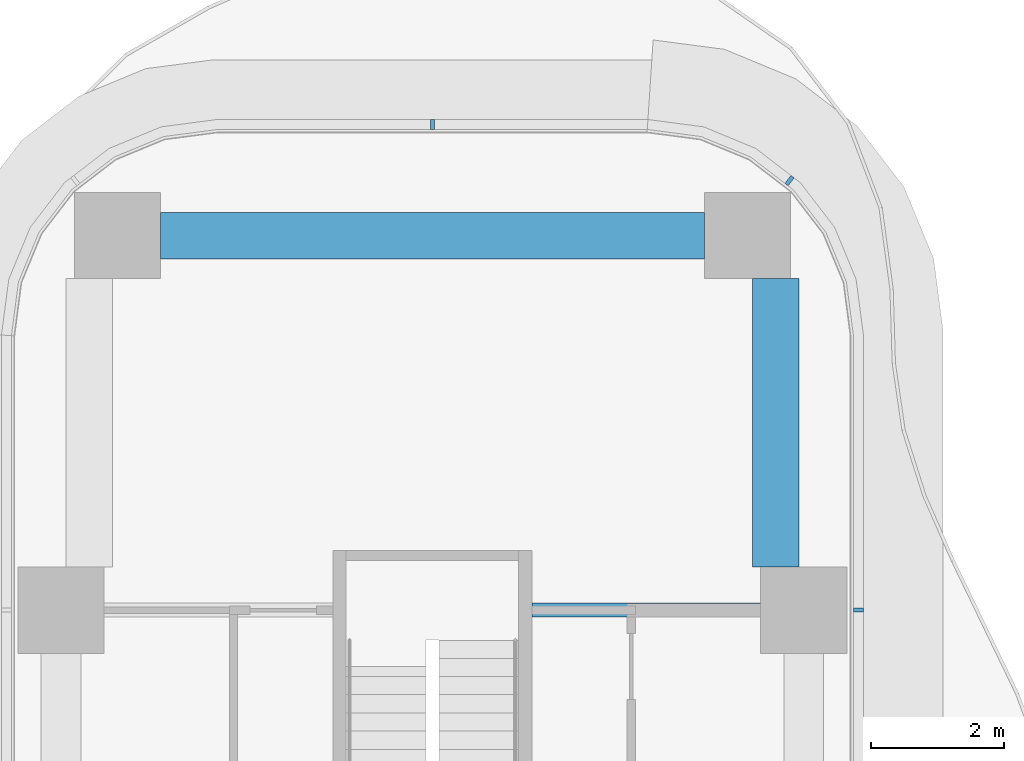
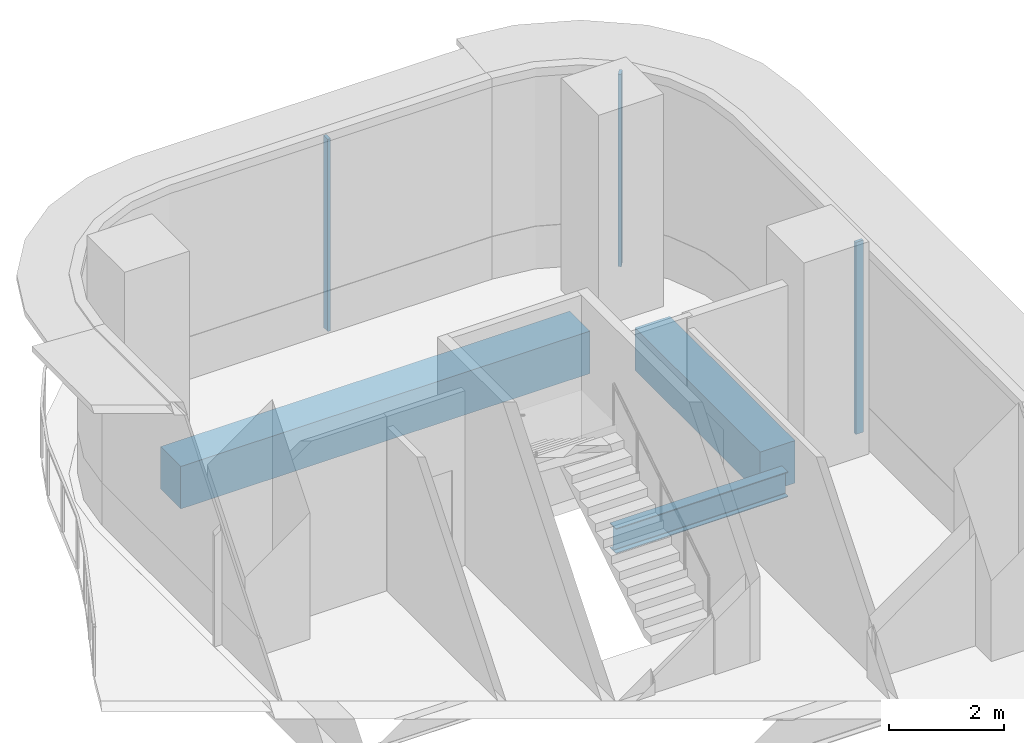
# One storey, part 12 of 21: 3 beams, 3 members, 2 elements without a shape of their own.
"""IFC4 building model written with IfcOpenShell, lengths in metres."""

from ifc_helpers import new_model, si_unit, direction, frame, origin, origin_2d, place, context, subcontext, project, spatial, rectangle, i_section, extrude, source, transform, mapped, material, layer, layer_set, material_profile, profile_set, type_object, element, aggregate, save


model = new_model("IFC4")

# Units and contexts
model_context = context("Model", 3, precision=1e-05, world=origin(), true_north=direction((0.0, 1.0)))
body_context = subcontext(model_context, "Body", "Model", "MODEL_VIEW")
ifc_project = project(units=[si_unit("LENGTHUNIT", "METRE"), si_unit("AREAUNIT", "SQUARE_METRE"), si_unit("VOLUMEUNIT", "CUBIC_METRE"), si_unit("PLANEANGLEUNIT", "RADIAN"), si_unit("MASSUNIT", "GRAM", prefix="KILO")], contexts=[model_context])

# Site, building, storey
site_placement = place(None, origin())
site = spatial("IfcSite", under=ifc_project, at=site_placement, CompositionType="ELEMENT")
building_placement = place(site_placement, origin())
building = spatial("IfcBuilding", under=site, at=building_placement, Name="Trellis Farm Tower", CompositionType="ELEMENT")
storey_placement = place(building_placement, frame((0.0, 0.0, 106.5)))
storey = spatial("IfcBuildingStorey", under=building, at=storey_placement, Name="L22", CompositionType="ELEMENT", Elevation=106.5)

# Beams
ifc_material_1 = material(Name="Steel S355", Category="steel")
ifc_material_profile_1 = material_profile(ifc_material_1, i_section(OverallWidth=0.209228515625, OverallDepth=0.533203125, WebThickness=0.010009765625, FlangeThickness=0.015625, FilletRadius=0.0126953125, at=origin_2d()), Name="UB 533x210x92")
ifc_profile_set_1 = profile_set([ifc_material_profile_1], Name="Steel S355")
beam_type_1 = type_object("IfcBeamType", Name="UB 533x210x92", PredefinedType="BEAM", material=ifc_profile_set_1)
shared_shape_1 = source(origin(), body_context, "Body", "SweptSolid", [
    extrude(i_section(OverallWidth=0.209228515625, OverallDepth=0.533203125, WebThickness=0.010009765625, FlangeThickness=0.015625, FilletRadius=0.0126953125, at=origin_2d()), origin(), (0.0, 0.0, 1.0), 3.449951171875),
])
beam_1_placement = place(storey_placement, frame((1.5, 18.60009765625, -0.5166015625), z_axis=(1.0, 0.0, 0.0), x_axis=(0.0, 1.0, 0.0)))
element("IfcBeam", 1, at=beam_1_placement, inside=storey, type_object=beam_type_1, Name="Girder", PredefinedType="BEAM", context=body_context, shape_type="MappedRepresentation", body=[
    mapped(shared_shape_1, transform((0.0, 0.0, 0.0))),
])
ifc_material_2 = material(Name="Concrete C60/75", Category="concrete")
ifc_material_profile_2 = material_profile(ifc_material_2, rectangle(XDim=0.699951171875, YDim=0.89990234375, at=origin_2d()), Name="RC spandrel beam 700x900 C60/75")
ifc_profile_set_2 = profile_set([ifc_material_profile_2], Name="Concrete C60/75")
beam_type_2 = type_object("IfcBeamType", Name="RC spandrel beam 700x900 C60/75", PredefinedType="SPANDREL", material=ifc_profile_set_2)
shared_shape_2 = source(origin(), body_context, "Body", "SweptSolid", [
    extrude(rectangle(XDim=0.699951171875, YDim=0.89990234375, at=origin_2d()), origin(), (0.0, 0.0, 1.0), 4.35009765625),
])
beam_2_placement = place(storey_placement, frame((5.175048828125, 19.25, -0.699951171875), z_axis=(0.0, 1.0, 0.0), x_axis=(-1.0, 0.0, 0.0)))
element("IfcBeam", 2, at=beam_2_placement, inside=storey, type_object=beam_type_2, Name="Girder", PredefinedType="SPANDREL", context=body_context, shape_type="MappedRepresentation", body=[
    mapped(shared_shape_2, transform((0.0, 0.0, 0.0))),
])
shared_shape_3 = source(origin(), body_context, "Body", "SweptSolid", [
    extrude(rectangle(XDim=0.699951171875, YDim=0.89990234375, at=origin_2d()), origin(), (0.0, 0.0, 1.0), 8.2001953125),
])
beam_3_placement = place(storey_placement, frame((-4.10009765625, 24.25, -0.699951171875), z_axis=(1.0, 0.0, 0.0), x_axis=(0.0, 1.0, 0.0)))
element("IfcBeam", 3, at=beam_3_placement, inside=storey, type_object=beam_type_2, Name="Girder", PredefinedType="SPANDREL", context=body_context, shape_type="MappedRepresentation", body=[
    mapped(shared_shape_3, transform((0.0, 0.0, 0.0))),
])

# Curtain wall, members
ifc_material_3 = material(Name="Aluminium and glass curtain wall", Category="aluminium")
ifc_layer = layer(ifc_material_3, 0.18994140625)
ifc_layer_set = layer_set([ifc_layer], Name="RIBBON CURTAIN WALL CW1")
curtain_wall_type = type_object("IfcCurtainWallType", Name="RIBBON CURTAIN WALL CW1", PredefinedType="NOTDEFINED", material=ifc_layer_set)
placement = place(storey_placement, origin())
curtain_wall_1 = element("IfcCurtainWall", 4, at=placement, inside=storey, type_object=curtain_wall_type, Name="CW1 009", PredefinedType="NOTDEFINED")
ifc_material_4 = material(Name="Aluminium extrusion 6063-T6", Category="aluminium")
ifc_material_profile_3 = material_profile(ifc_material_4, rectangle(XDim=0.06005859375, YDim=0.14990234375, at=origin_2d()), Name="MULLION 60x150")
ifc_profile_set_3 = profile_set([ifc_material_profile_3], Name="Aluminium extrusion 6063-T6")
member_type = type_object("IfcMemberType", Name="CW1 MULLION 60x150", PredefinedType="MULLION", material=ifc_profile_set_3)
shared_shape_4 = source(origin(), body_context, "Body", "SweptSolid", [
    extrude(rectangle(XDim=0.06005859375, YDim=0.14990234375, at=origin_2d()), origin(), (0.0, 0.0, 1.0), 4.070068359375),
])
member_1_placement = place(storey_placement, frame((6.425048828125, 18.60009765625, 0.0), z_axis=(0.0, 0.0, 1.0), x_axis=(0.0, 1.0, 0.0)))
member_1 = element("IfcMember", 5, at=member_1_placement, type_object=member_type, Name="MU1 009-02", PredefinedType="MULLION", context=body_context, shape_type="MappedRepresentation", body=[
    mapped(shared_shape_4, transform((0.0, 0.0, 0.0))),
])
member_2_placement = place(storey_placement, frame((5.385498046875, 25.078369140625, 0.0), z_axis=(0.0, 0.0, 1.0), x_axis=(-0.793353340291, 0.608761429009, 0.0)))
member_2 = element("IfcMember", 6, at=member_2_placement, type_object=member_type, Name="MU1 009-03", PredefinedType="MULLION", context=body_context, shape_type="MappedRepresentation", body=[
    mapped(shared_shape_4, transform((0.0, 0.0, 0.0))),
])
aggregate(curtain_wall_1, [member_1, member_2])

# Curtain wall, member
curtain_wall_2 = element("IfcCurtainWall", 7, at=placement, inside=storey, type_object=curtain_wall_type, Name="CW1 010", PredefinedType="NOTDEFINED")
member_3_placement = place(storey_placement, frame((0.0, 25.925048828125, 0.0), z_axis=(0.0, 0.0, 1.0), x_axis=(-1.0, 0.0, 0.0)))
member_3 = element("IfcMember", 8, at=member_3_placement, type_object=member_type, Name="MU1 010-01", PredefinedType="MULLION", context=body_context, shape_type="MappedRepresentation", body=[
    mapped(shared_shape_4, transform((0.0, 0.0, 0.0))),
])
aggregate(curtain_wall_2, [member_3])

save(model, "model.ifc")
